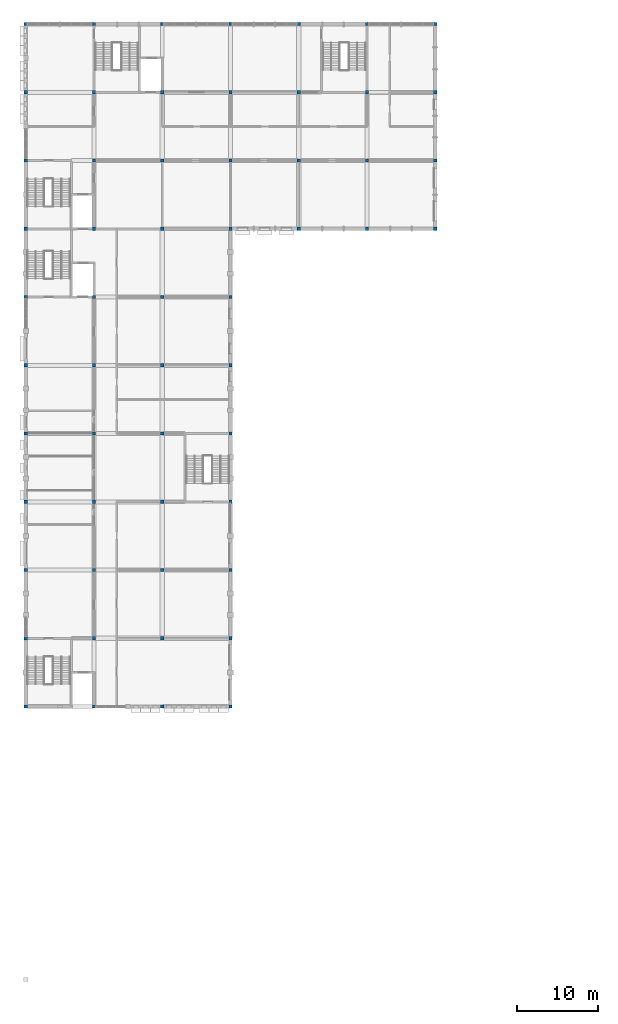
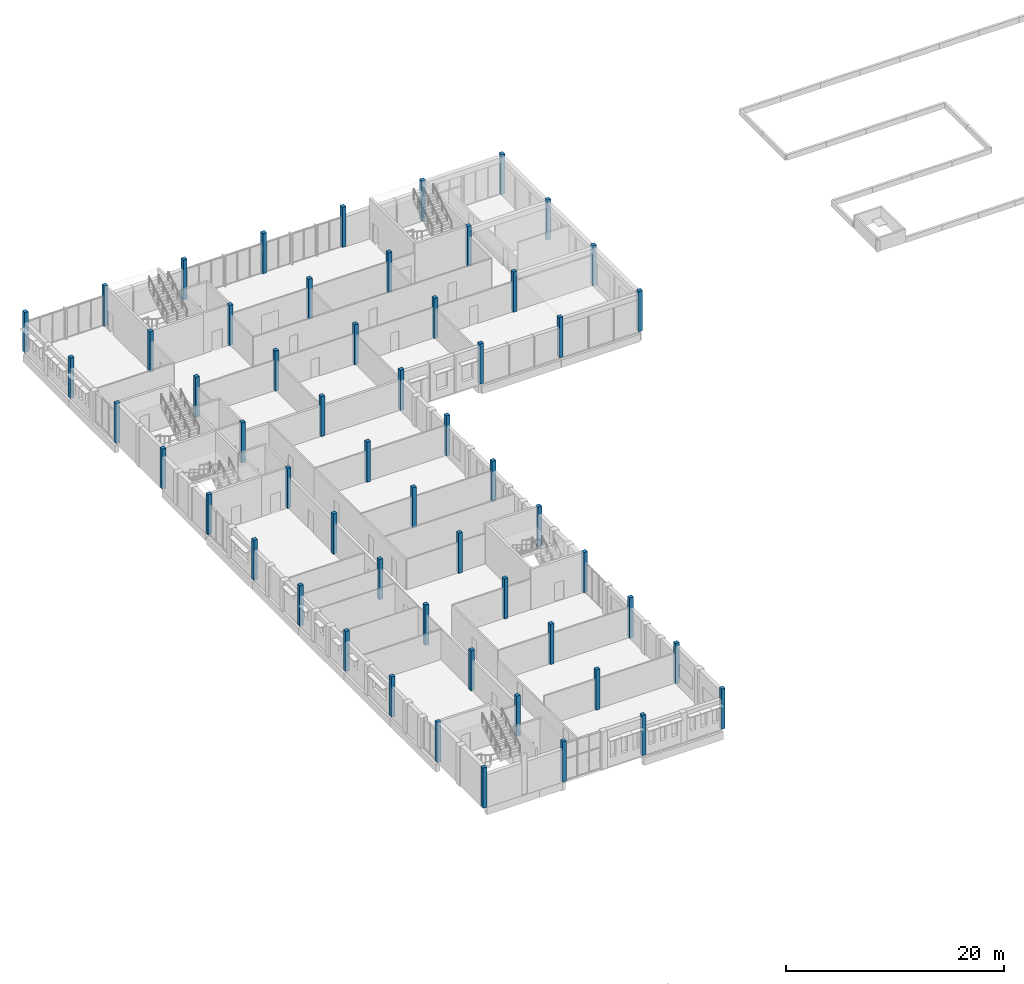
# One storey, part 1 of 22: 56 columns.
"""IFC4 building model written with IfcOpenShell, lengths in metres."""

from ifc_helpers import new_model, si_unit, direction, frame, origin, origin_2d, place, context, subcontext, project, spatial, rectangle, extrude, material, material_profile, profile_set, type_object, element, save


model = new_model("IFC4")

# Units and contexts
model_context = context("Model", 3, precision=1e-05, world=origin(), true_north=direction((0.0, 1.0)))
body_context = subcontext(model_context, "Body", "Model", "MODEL_VIEW")
ifc_project = project(units=[si_unit("LENGTHUNIT", "METRE"), si_unit("AREAUNIT", "SQUARE_METRE"), si_unit("VOLUMEUNIT", "CUBIC_METRE"), si_unit("PLANEANGLEUNIT", "RADIAN"), si_unit("MASSUNIT", "GRAM", prefix="KILO")], contexts=[model_context])

# Site, building, storey
site_placement = place(None, origin())
site = spatial("IfcSite", under=ifc_project, at=site_placement, CompositionType="ELEMENT")
building_placement = place(site_placement, origin())
building = spatial("IfcBuilding", under=site, at=building_placement, Name="Fescue Hill Polytechnic", CompositionType="ELEMENT")
storey_placement = place(building_placement, frame((0.0, 0.0, 27.0)))
storey = spatial("IfcBuildingStorey", under=building, at=storey_placement, Name="L06", CompositionType="ELEMENT", Elevation=27.0)

# Columns
ifc_material = material(Name="Concrete 40 MPa", Category="concrete")
ifc_material_profile = material_profile(ifc_material, rectangle(XDim=0.39990234375, YDim=0.39990234375, at=origin_2d()), Name="RC 400x400")
ifc_profile_set = profile_set([ifc_material_profile], Name="Concrete 40 MPa")
column_type = type_object("IfcColumnType", Name="Column RC 400x400", PredefinedType="COLUMN", material=ifc_profile_set)
for number, where, z_axis, x_axis, name in (
    (1, (0.0, 50.39990234375, 0.0), (0.0, 0.0, 1.0), (1.0, 0.0, 0.0), "COL-L06-V4-001"),
    (2, (0.0, 58.800048828125, 0.0), (0.0, 0.0, 1.0), (1.0, 0.0, 0.0), "COL-L06-V4-002"),
    (3, (0.0, 67.199951171875, 0.0), (0.0, 0.0, 1.0), (1.0, 0.0, 0.0), "COL-L06-V4-003"),
    (4, (0.0, 75.60009765625, 0.0), (0.0, 0.0, 1.0), (1.0, 0.0, 0.0), "COL-L06-V4-004"),
    (5, (0.0, 84.0, 0.0), (0.0, 0.0, 1.0), (1.0, 0.0, 0.0), "COL-L06-V4-005"),
    (6, (0.0, 92.39990234375, 0.0), (0.0, 0.0, 1.0), (1.0, 0.0, 0.0), "COL-L06-V4-006"),
    (7, (0.0, 100.800048828125, 0.0), (0.0, 0.0, 1.0), (1.0, 0.0, 0.0), "COL-L06-V4-007"),
    (8, (0.0, 109.199951171875, 0.0), (0.0, 0.0, 1.0), (1.0, 0.0, 0.0), "COL-L06-V4-008"),
    (9, (8.39990234375, 50.39990234375, 0.0), (0.0, 0.0, 1.0), (1.0, 0.0, 0.0), "COL-L06-V4-009"),
    (10, (8.39990234375, 58.800048828125, 0.0), (0.0, 0.0, 1.0), (1.0, 0.0, 0.0), "COL-L06-V4-010"),
    (11, (8.39990234375, 67.199951171875, 0.0), (0.0, 0.0, 1.0), (1.0, 0.0, 0.0), "COL-L06-V4-011"),
    (12, (8.39990234375, 75.60009765625, 0.0), (0.0, 0.0, 1.0), (1.0, 0.0, 0.0), "COL-L06-V4-012"),
    (13, (8.39990234375, 84.0, 0.0), (0.0, 0.0, 1.0), (1.0, 0.0, 0.0), "COL-L06-V4-013"),
    (14, (8.39990234375, 92.39990234375, 0.0), (0.0, 0.0, 1.0), (1.0, 0.0, 0.0), "COL-L06-V4-014"),
    (15, (8.39990234375, 100.800048828125, 0.0), (0.0, 0.0, 1.0), (1.0, 0.0, 0.0), "COL-L06-V4-015"),
    (16, (8.39990234375, 109.199951171875, 0.0), (0.0, 0.0, 1.0), (1.0, 0.0, 0.0), "COL-L06-V4-016"),
    (17, (16.800048828125, 50.39990234375, 0.0), (0.0, 0.0, 1.0), (1.0, 0.0, 0.0), "COL-L06-V4-017"),
    (18, (16.800048828125, 58.800048828125, 0.0), (0.0, 0.0, 1.0), (1.0, 0.0, 0.0), "COL-L06-V4-018"),
    (19, (16.800048828125, 67.199951171875, 0.0), (0.0, 0.0, 1.0), (1.0, 0.0, 0.0), "COL-L06-V4-019"),
    (20, (16.800048828125, 75.60009765625, 0.0), (0.0, 0.0, 1.0), (1.0, 0.0, 0.0), "COL-L06-V4-020"),
    (21, (16.800048828125, 84.0, 0.0), (0.0, 0.0, 1.0), (1.0, 0.0, 0.0), "COL-L06-V4-021"),
    (22, (16.800048828125, 92.39990234375, 0.0), (0.0, 0.0, 1.0), (1.0, 0.0, 0.0), "COL-L06-V4-022"),
    (23, (16.800048828125, 100.800048828125, 0.0), (0.0, 0.0, 1.0), (1.0, 0.0, 0.0), "COL-L06-V4-023"),
    (24, (16.800048828125, 109.199951171875, 0.0), (0.0, 0.0, 1.0), (1.0, 0.0, 0.0), "COL-L06-V4-024"),
    (25, (25.199951171875, 50.39990234375, 0.0), (0.0, 0.0, 1.0), (1.0, 0.0, 0.0), "COL-L06-V4-025"),
    (26, (25.199951171875, 58.800048828125, 0.0), (0.0, 0.0, 1.0), (1.0, 0.0, 0.0), "COL-L06-V4-026"),
    (27, (25.199951171875, 67.199951171875, 0.0), (0.0, 0.0, 1.0), (1.0, 0.0, 0.0), "COL-L06-V4-027"),
    (28, (25.199951171875, 75.60009765625, 0.0), (0.0, 0.0, 1.0), (1.0, 0.0, 0.0), "COL-L06-V4-028"),
    (29, (25.199951171875, 84.0, 0.0), (0.0, 0.0, 1.0), (1.0, 0.0, 0.0), "COL-L06-V4-029"),
    (30, (25.199951171875, 92.39990234375, 0.0), (0.0, 0.0, 1.0), (1.0, 0.0, 0.0), "COL-L06-V4-030"),
    (31, (25.199951171875, 100.800048828125, 0.0), (0.0, 0.0, 1.0), (1.0, 0.0, 0.0), "COL-L06-V4-031"),
    (32, (25.199951171875, 109.199951171875, 0.0), (0.0, 0.0, 1.0), (1.0, 0.0, 0.0), "COL-L06-V4-032"),
    (33, (0.0, 117.60009765625, 0.0), (0.0, 0.0, 1.0), (1.0, 0.0, 0.0), "COL-L06-V5-001"),
    (34, (0.0, 126.0, 0.0), (0.0, 0.0, 1.0), (1.0, 0.0, 0.0), "COL-L06-V5-002"),
    (35, (0.0, 134.39990234375, 0.0), (0.0, 0.0, 1.0), (1.0, 0.0, 0.0), "COL-L06-V5-003"),
    (36, (8.39990234375, 117.60009765625, 0.0), (0.0, 0.0, 1.0), (1.0, 0.0, 0.0), "COL-L06-V5-004"),
    (37, (8.39990234375, 126.0, 0.0), (0.0, 0.0, 1.0), (1.0, 0.0, 0.0), "COL-L06-V5-005"),
    (38, (8.39990234375, 134.39990234375, 0.0), (0.0, 0.0, 1.0), (1.0, 0.0, 0.0), "COL-L06-V5-006"),
    (39, (16.800048828125, 117.60009765625, 0.0), (0.0, 0.0, 1.0), (1.0, 0.0, 0.0), "COL-L06-V5-007"),
    (40, (16.800048828125, 126.0, 0.0), (0.0, 0.0, 1.0), (1.0, 0.0, 0.0), "COL-L06-V5-008"),
    (41, (16.800048828125, 134.39990234375, 0.0), (0.0, 0.0, 1.0), (1.0, 0.0, 0.0), "COL-L06-V5-009"),
    (42, (25.199951171875, 117.60009765625, 0.0), (0.0, 0.0, 1.0), (1.0, 0.0, 0.0), "COL-L06-V5-010"),
    (43, (25.199951171875, 126.0, 0.0), (0.0, 0.0, 1.0), (1.0, 0.0, 0.0), "COL-L06-V5-011"),
    (44, (25.199951171875, 134.39990234375, 0.0), (0.0, 0.0, 1.0), (1.0, 0.0, 0.0), "COL-L06-V5-012"),
    (45, (33.60009765625, 109.199951171875, 0.0), (0.0, 0.0, 1.0), (1.0, 0.0, 0.0), "COL-L06-V5-013"),
    (46, (33.60009765625, 117.60009765625, 0.0), (0.0, 0.0, 1.0), (1.0, 0.0, 0.0), "COL-L06-V5-014"),
    (47, (33.60009765625, 126.0, 0.0), (0.0, 0.0, 1.0), (1.0, 0.0, 0.0), "COL-L06-V5-015"),
    (48, (33.60009765625, 134.39990234375, 0.0), (0.0, 0.0, 1.0), (1.0, 0.0, 0.0), "COL-L06-V5-016"),
    (49, (42.0, 109.199951171875, 0.0), (0.0, 0.0, 1.0), (1.0, 0.0, 0.0), "COL-L06-V5-017"),
    (50, (42.0, 117.60009765625, 0.0), (0.0, 0.0, 1.0), (1.0, 0.0, 0.0), "COL-L06-V5-018"),
    (51, (42.0, 126.0, 0.0), (0.0, 0.0, 1.0), (1.0, 0.0, 0.0), "COL-L06-V5-019"),
    (52, (42.0, 134.39990234375, 0.0), (0.0, 0.0, 1.0), (1.0, 0.0, 0.0), "COL-L06-V5-020"),
    (53, (50.39990234375, 109.199951171875, 0.0), (0.0, 0.0, 1.0), (1.0, 0.0, 0.0), "COL-L06-V5-021"),
    (54, (50.39990234375, 117.60009765625, 0.0), (0.0, 0.0, 1.0), (1.0, 0.0, 0.0), "COL-L06-V5-022"),
    (55, (50.39990234375, 126.0, 0.0), (0.0, 0.0, 1.0), (1.0, 0.0, 0.0), "COL-L06-V5-023"),
    (56, (50.39990234375, 134.39990234375, 0.0), (0.0, 0.0, 1.0), (1.0, 0.0, 0.0), "COL-L06-V5-024"),
):
    element("IfcColumn", number, at=place(storey_placement, frame(where, z_axis=z_axis, x_axis=x_axis)), inside=storey, type_object=column_type, Name=name, PredefinedType="COLUMN", context=body_context, shape_type="SweptSolid", body=[
        extrude(rectangle(XDim=0.39990234375, YDim=0.39990234375, at=origin_2d()), origin(), (0.0, 0.0, 1.0), 4.5),
    ])

save(model, "model.ifc")
